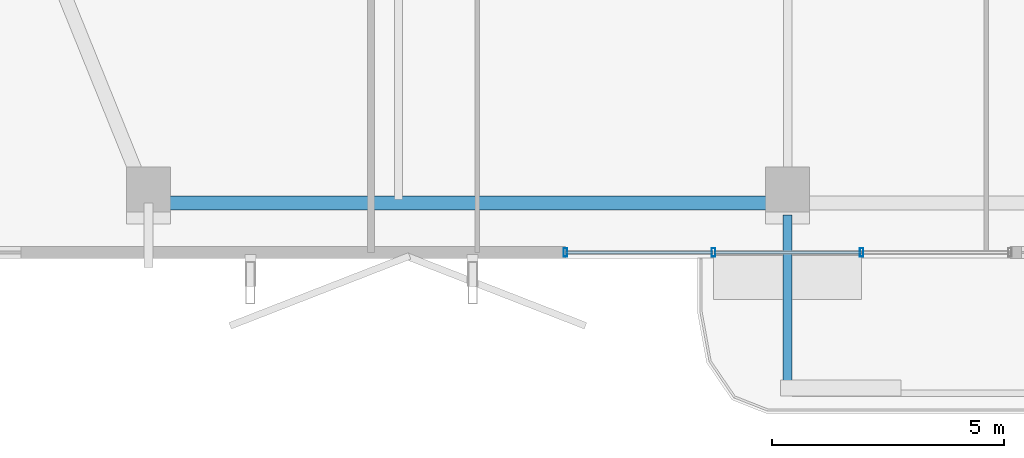
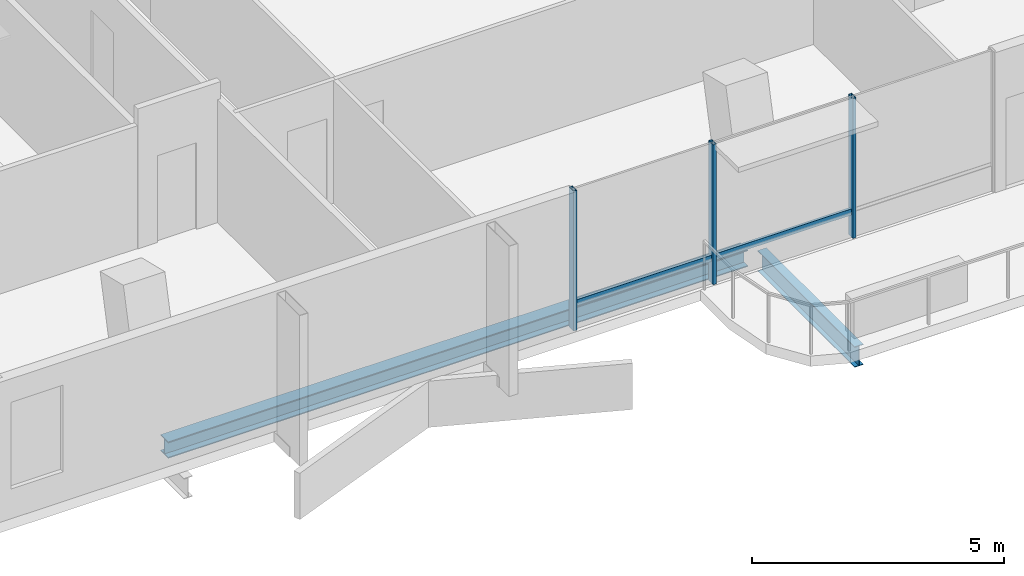
# One storey, part 2 of 25: 5 members, 2 beams, 1 element without a shape of its own.
"""IFC4 building model written with IfcOpenShell, lengths in metres."""

from ifc_helpers import new_model, si_unit, direction, frame, origin, origin_2d, place, context, subcontext, project, spatial, hollow_rectangle, i_section, extrude, material, layer, layer_set, material_profile, profile_set, type_object, element, aggregate, save


model = new_model("IFC4")

# Units and contexts
model_context = context("Model", 3, precision=1e-05, world=origin(), true_north=direction((0.0, 1.0)))
body_context = subcontext(model_context, "Body", "Model", "MODEL_VIEW")
ifc_project = project(units=[si_unit("LENGTHUNIT", "METRE"), si_unit("AREAUNIT", "SQUARE_METRE"), si_unit("VOLUMEUNIT", "CUBIC_METRE"), si_unit("PLANEANGLEUNIT", "RADIAN"), si_unit("MASSUNIT", "GRAM", prefix="KILO")], contexts=[model_context])

# Site, building, storey
site_placement = place(None, origin())
site = spatial("IfcSite", under=ifc_project, at=site_placement, CompositionType="ELEMENT")
building_placement = place(site_placement, origin())
building = spatial("IfcBuilding", under=site, at=building_placement, Name="Belovzor Exchange Tower", CompositionType="ELEMENT")
storey_placement = place(building_placement, frame((0.0, 0.0, 280.35009765625)))
storey = spatial("IfcBuildingStorey", under=building, at=storey_placement, Name="L70", CompositionType="ELEMENT", Elevation=280.35009765625)

# Beam
ifc_material_1 = material(Name="Steel S355", Category="steel")
ifc_material_profile_1 = material_profile(ifc_material_1, i_section(OverallWidth=0.199951171875, OverallDepth=0.5, WebThickness=0.01025390625, FlangeThickness=0.01611328125, at=origin_2d()))
ifc_profile_set_1 = profile_set([ifc_material_profile_1], Name="Steel S355")
beam_type_1 = type_object("IfcBeamType", Name="Planted Balcony Cantilever Beam IPE 500", PredefinedType="BEAM", material=ifc_profile_set_1)
beam_1_placement = place(storey_placement, frame((28.800048828125, 4.839111328125, -0.5), z_axis=(0.0, -1.0, 0.0), x_axis=(1.0, 0.0, 0.0)))
element("IfcBeam", 1, at=beam_1_placement, inside=storey, type_object=beam_type_1, Name="BC-500 Planted Balcony Cantilever Beam IPE 500", PredefinedType="BEAM", context=body_context, shape_type="SweptSolid", body=[
    extrude(i_section(OverallWidth=0.199951171875, OverallDepth=0.5, WebThickness=0.01025390625, FlangeThickness=0.01611328125, at=origin_2d()), origin(), (0.0, 0.0, 1.0), 3.85009765625),
])

# Curtain wall, members
ifc_material_2 = material(Name="Anodised Aluminium Framing", Category="aluminium")
ifc_layer = layer(ifc_material_2, 0.179931640625)
ifc_layer_set = layer_set([ifc_layer], Name="Anodised Aluminium Framing")
curtain_wall_type = type_object("IfcCurtainWallType", Name="Recessed Loggia Low-Iron Triple-Glazed Curtain Wall", PredefinedType="NOTDEFINED", material=ifc_layer_set)
curtain_wall_placement = place(storey_placement, origin())
curtain_wall = element("IfcCurtainWall", 2, at=curtain_wall_placement, inside=storey, type_object=curtain_wall_type, Name="CW3 Recessed Loggia Low-Iron Triple-Glazed Curtain Wall L70", PredefinedType="NOTDEFINED")
ifc_material_3 = material(Name="Steel S355", Category="steel")
ifc_material_profile_2 = material_profile(ifc_material_3, hollow_rectangle(XDim=0.074951171875, YDim=0.179931640625, WallThickness=0.0048828125, at=origin_2d()))
ifc_profile_set_2 = profile_set([ifc_material_profile_2], Name="Steel S355")
member_type_1 = type_object("IfcMemberType", Name="Thermally Broken Curtain Wall Mullion 180x75", PredefinedType="MULLION", material=ifc_profile_set_2)
member_1_placement = place(storey_placement, frame((30.39990234375, 4.030029296875, 0.0), z_axis=(0.0, 0.0, 1.0), x_axis=(-1.0, 0.0, 0.0)))
member_1 = element("IfcMember", 3, at=member_1_placement, type_object=member_type_1, Name="CW-M180 Curtain Wall Mullion 2", PredefinedType="MULLION", context=body_context, shape_type="SweptSolid", body=[
    extrude(hollow_rectangle(XDim=0.074951171875, YDim=0.179931640625, WallThickness=0.0048828125, at=origin_2d()), origin(), (0.0, 0.0, 1.0), 3.389892578125),
])
member_2_placement = place(storey_placement, frame((27.199951171875, 4.030029296875, 0.0), z_axis=(0.0, 0.0, 1.0), x_axis=(-1.0, 0.0, 0.0)))
member_2 = element("IfcMember", 4, at=member_2_placement, type_object=member_type_1, Name="CW-M180 Curtain Wall Mullion 3", PredefinedType="MULLION", context=body_context, shape_type="SweptSolid", body=[
    extrude(hollow_rectangle(XDim=0.074951171875, YDim=0.179931640625, WallThickness=0.0048828125, at=origin_2d()), origin(), (0.0, 0.0, 1.0), 3.389892578125),
])
member_3_placement = place(storey_placement, frame((24.0, 4.030029296875, 0.0), z_axis=(0.0, 0.0, 1.0), x_axis=(-1.0, 0.0, 0.0)))
member_3 = element("IfcMember", 5, at=member_3_placement, type_object=member_type_1, Name="CW-M180 Curtain Wall Mullion 4", PredefinedType="MULLION", context=body_context, shape_type="SweptSolid", body=[
    extrude(hollow_rectangle(XDim=0.074951171875, YDim=0.179931640625, WallThickness=0.0048828125, at=origin_2d()), origin(), (0.0, 0.0, 1.0), 3.389892578125),
])
ifc_material_4 = material(Name="Steel S355", Category="steel")
ifc_material_profile_3 = material_profile(ifc_material_4, hollow_rectangle(XDim=0.06005859375, YDim=0.14990234375, WallThickness=0.00390625, at=origin_2d()))
ifc_profile_set_3 = profile_set([ifc_material_profile_3], Name="Steel S355")
member_type_2 = type_object("IfcMemberType", Name="Thermally Broken Curtain Wall Transom 150x60", PredefinedType="USERDEFINED", material=ifc_profile_set_3)
member_4_placement = place(storey_placement, frame((30.39208984375, 4.030029296875, 0.60986328125), z_axis=(-1.0, 0.0, 0.0), x_axis=(0.0, -1.0, 0.0)))
member_4 = element("IfcMember", 6, at=member_4_placement, type_object=member_type_2, Name="CW-T150 Curtain Wall Transom 2", ObjectType="TRANSOM", PredefinedType="USERDEFINED", context=body_context, shape_type="SweptSolid", body=[
    extrude(hollow_rectangle(XDim=0.06005859375, YDim=0.14990234375, WallThickness=0.00390625, at=origin_2d()), origin(), (0.0, 0.0, 1.0), 3.18408203125),
])
member_5_placement = place(storey_placement, frame((27.19189453125, 4.030029296875, 0.60986328125), z_axis=(-1.0, 0.0, 0.0), x_axis=(0.0, -1.0, 0.0)))
member_5 = element("IfcMember", 7, at=member_5_placement, type_object=member_type_2, Name="CW-T150 Curtain Wall Transom 3", ObjectType="TRANSOM", PredefinedType="USERDEFINED", context=body_context, shape_type="SweptSolid", body=[
    extrude(hollow_rectangle(XDim=0.06005859375, YDim=0.14990234375, WallThickness=0.00390625, at=origin_2d()), origin(), (0.0, 0.0, 1.0), 3.183837890625),
])
aggregate(curtain_wall, [member_1, member_2, member_3, member_4, member_5])

# Beam
ifc_material_5 = material(Name="Steel S355", Category="steel")
ifc_material_profile_4 = material_profile(ifc_material_5, i_section(OverallWidth=0.300048828125, OverallDepth=0.39990234375, WebThickness=0.013427734375, FlangeThickness=0.02392578125, at=origin_2d()))
ifc_profile_set_4 = profile_set([ifc_material_profile_4], Name="Steel S355")
beam_type_2 = type_object("IfcBeamType", Name="Zone 5 Primary Girder HEB 400", PredefinedType="BEAM", material=ifc_profile_set_4)
beam_2_placement = place(storey_placement, frame((15.260986328125, 5.10009765625, -0.4501953125), z_axis=(1.0, 0.0, 0.0), x_axis=(0.0, 1.0, 0.0)))
element("IfcBeam", 8, at=beam_2_placement, inside=storey, type_object=beam_type_2, Name="FG-Z5 Zone 5 Primary Girder HEB 400", PredefinedType="BEAM", context=body_context, shape_type="SweptSolid", body=[
    extrude(i_section(OverallWidth=0.300048828125, OverallDepth=0.39990234375, WebThickness=0.013427734375, FlangeThickness=0.02392578125, at=origin_2d()), origin(), (0.0, 0.0, 1.0), 13.278076171875),
])

save(model, "model.ifc")
